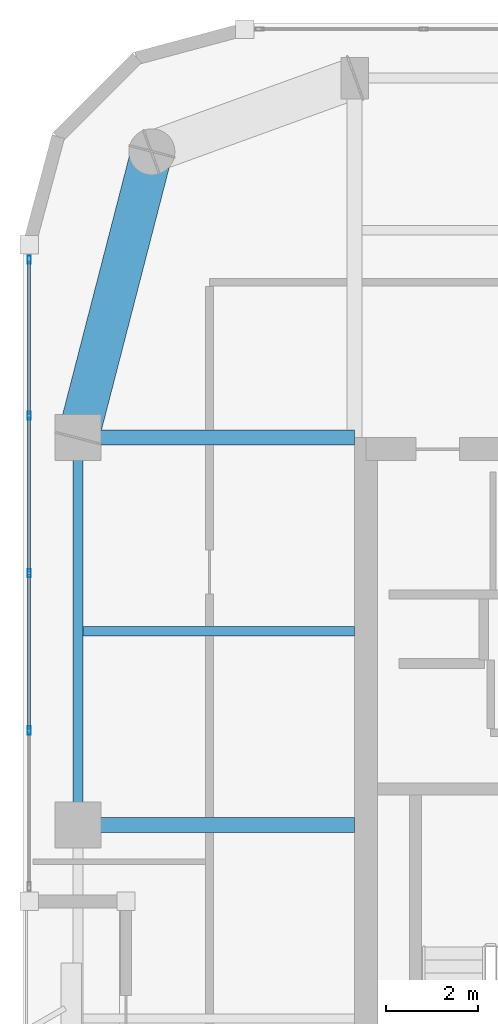
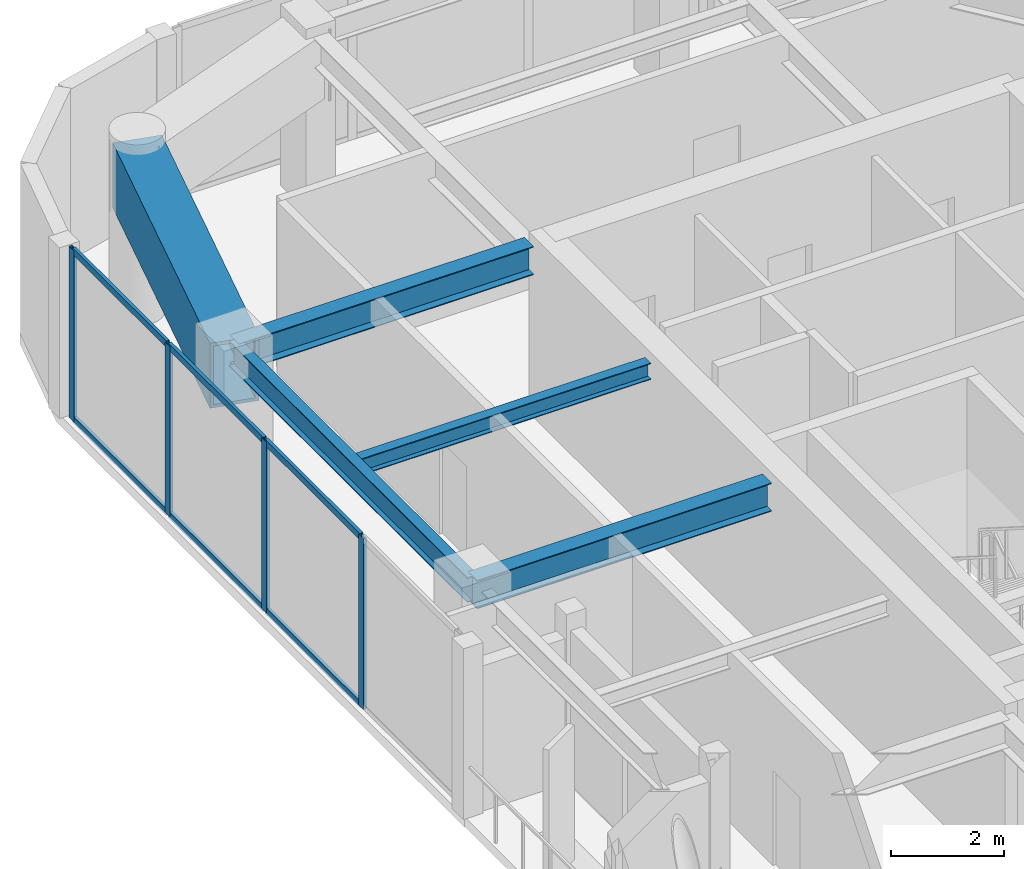
# One storey, part 4 of 15: 10 members, 5 beams, 1 element without a shape of its own.
"""IFC4 building model written with IfcOpenShell, lengths in metres."""

import ifcopenshell
import ifcopenshell.guid

model = None  # the IFC model being written
_history = None  # IfcOwnerHistory: only IFC2X3 demands one
_inside = {}  # id of a spatial element -> (the spatial element, [elements in it])
_under = {}  # id of a project, library or spatial element -> (it, [spatial elements below it])
_declared = {}  # id of a project -> (the project, [libraries it declares])
_typed = {}  # id of a type object -> (the type object, [elements of that type])
_made_of = {}  # id of a material, layer set ... -> (it, [elements and type objects made of it])


def new_model(schema):
    """Start an empty IFC model of exactly this schema.

    Asked for "IFC4X3", IfcOpenShell would pick the latest addendum, in which some entities
    have other attributes; the version numbers below select the first issue.
    IFC2X3 requires an IfcOwnerHistory on every rooted entity: one is made here for all.
    """
    global model, _history
    if schema == "IFC4X3":
        model = ifcopenshell.file(schema_version=(4, 3, 0, 0))
    else:
        model = ifcopenshell.file(schema=schema)
    _inside.clear()
    _under.clear()
    _declared.clear()
    _typed.clear()
    _made_of.clear()
    _history = None
    if model.schema == "IFC2X3":
        org = make("IfcOrganization", Name="unknown")
        user = make(
            "IfcPersonAndOrganization",
            ThePerson=make("IfcPerson", FamilyName="unknown"),
            TheOrganization=org,
        )
        app = make(
            "IfcApplication",
            ApplicationDeveloper=org,
            Version="unknown",
            ApplicationFullName="unknown",
            ApplicationIdentifier="unknown",
        )
        _history = make(
            "IfcOwnerHistory",
            OwningUser=user,
            OwningApplication=app,
            ChangeAction="ADDED",
            CreationDate=0,
        )
    return model


def make(cls, **values):
    """One entity of the class cls with the attributes given. An attribute that is None is left unset."""
    return model.create_entity(
        cls, **{name: value for name, value in values.items() if value is not None}
    )


def rooted(cls, **values):
    """An entity with a GlobalId (a new one), such as an element, a storey or a relation."""
    return make(cls, GlobalId=ifcopenshell.guid.new(), OwnerHistory=_history, **values)


def si_unit(unit_type, name, prefix=None):
    """IfcSIUnit, for example si_unit("LENGTHUNIT", "METRE", prefix="MILLI")."""
    return make("IfcSIUnit", UnitType=unit_type, Prefix=prefix, Name=name)


def assignment(units):
    """IfcUnitAssignment: the units of a project."""
    return None if units is None else make("IfcUnitAssignment", Units=units)


def point(xyz):
    """IfcCartesianPoint."""
    return None if xyz is None else make("IfcCartesianPoint", Coordinates=xyz)


def direction(xyz):
    """IfcDirection."""
    return None if xyz is None else make("IfcDirection", DirectionRatios=xyz)


def frame(location, z_axis=None, x_axis=None):
    """IfcAxis2Placement3D, a coordinate frame: its origin and axes. An axis left out is left unset."""
    return make(
        "IfcAxis2Placement3D",
        Location=point(location),
        Axis=direction(z_axis),
        RefDirection=direction(x_axis),
    )


def frame_2d(location, x_axis=None):
    """IfcAxis2Placement2D, a coordinate frame in the plane: its origin and x axis."""
    return make(
        "IfcAxis2Placement2D", Location=point(location), RefDirection=direction(x_axis)
    )


def origin():
    """The frame at (0, 0, 0) with its axes left unset."""
    return frame((0.0, 0.0, 0.0))


def origin_2d():
    """The frame at (0, 0) in the plane with its x axis left unset."""
    return frame_2d((0.0, 0.0))


def place(relative_to, where):
    """IfcLocalPlacement: puts the frame where relative to a parent placement (None: the world)."""
    return make(
        "IfcLocalPlacement", PlacementRelTo=relative_to, RelativePlacement=where
    )


def context(
    kind, dimensions, precision=None, world=None, true_north=None, identifier=None
):
    """IfcGeometricRepresentationContext, for example the 3D "Model" context."""
    return make(
        "IfcGeometricRepresentationContext",
        ContextIdentifier=identifier,
        ContextType=kind,
        CoordinateSpaceDimension=dimensions,
        Precision=precision,
        WorldCoordinateSystem=world,
        TrueNorth=true_north,
    )


def subcontext(parent, identifier, kind, view, scale=None):
    """IfcGeometricRepresentationSubContext, for example "Body" below "Model"."""
    return make(
        "IfcGeometricRepresentationSubContext",
        ContextIdentifier=identifier,
        ContextType=kind,
        ParentContext=parent,
        TargetScale=scale,
        TargetView=view,
    )


def project(units=None, contexts=None):
    """IfcProject with its units and contexts."""
    return rooted(
        "IfcProject",
        Name="project",
        RepresentationContexts=contexts,
        UnitsInContext=assignment(units),
    )


def spatial(cls, under=None, at=None, **own):
    """A site, building, storey or space (cls), placed at a placement, below another one or the project."""
    s = rooted(cls, ObjectPlacement=at, **own)
    if under is not None:
        _under.setdefault(under.id(), (under, []))[1].append(s)
    return s


def profile(cls, at=None, kind="AREA", **sizes):
    """A parametric profile (cls). Its sizes go by their IFC names, for example OverallWidth=200.0."""
    return make(cls, ProfileType=kind, Position=at, **sizes)


def hollow_rectangle(**sizes):
    """IfcRectangleHollowProfileDef."""
    return profile("IfcRectangleHollowProfileDef", **sizes)


def i_section(**sizes):
    """IfcIShapeProfileDef."""
    return profile("IfcIShapeProfileDef", **sizes)


def extrude(swept, where, along, depth):
    """IfcExtrudedAreaSolid: the profile swept, set in the frame where, extruded along a direction by depth."""
    return make(
        "IfcExtrudedAreaSolid",
        SweptArea=swept,
        Position=where,
        ExtrudedDirection=direction(along),
        Depth=depth,
    )


def shape(context_of_items, identifier, shape_type, items):
    """IfcShapeRepresentation: the items that make up one representation, for example the "Body"."""
    return make(
        "IfcShapeRepresentation",
        ContextOfItems=context_of_items,
        RepresentationIdentifier=identifier,
        RepresentationType=shape_type,
        Items=items,
    )


def material(Name=None, Category=None):
    """IfcMaterial."""
    return make("IfcMaterial", Name=Name, Category=Category)


def layer(
    of_material, thickness, ventilated=None, Name=None, Category=None, Priority=None
):
    """IfcMaterialLayer: one layer of a wall or slab, of a material (None: an air gap)."""
    return make(
        "IfcMaterialLayer",
        Material=of_material,
        LayerThickness=thickness,
        IsVentilated=ventilated,
        Name=Name,
        Category=Category,
        Priority=Priority,
    )


def layer_set(layers, Name=None):
    """IfcMaterialLayerSet."""
    return make("IfcMaterialLayerSet", MaterialLayers=layers, LayerSetName=Name)


def material_profile(
    of_material, cross_section, Name=None, Category=None, Priority=None
):
    """IfcMaterialProfile: a cross section and its material."""
    return make(
        "IfcMaterialProfile",
        Name=Name,
        Material=of_material,
        Profile=cross_section,
        Priority=Priority,
        Category=Category,
    )


def profile_set(profiles, Name=None, composite=None):
    """IfcMaterialProfileSet."""
    return make(
        "IfcMaterialProfileSet",
        Name=Name,
        MaterialProfiles=profiles,
        CompositeProfile=composite,
    )


def made_of(thing, what):
    """Note that an element or type object is made of a material, layer set ...; save() writes the relation."""
    if what is not None:
        _made_of.setdefault(what.id(), (what, []))[1].append(thing)
    return thing


def type_object(cls, material=None, **own):
    """A type object (cls), such as IfcWallType, which elements share."""
    return made_of(rooted(cls, **own), material)


def element(
    cls,
    number,
    at=None,
    inside=None,
    cuts=None,
    type_object=None,
    material=None,
    context=None,
    identifier="Body",
    shape_type=None,
    held_by="IfcProductDefinitionShape",
    body=None,
    shapes=None,
    **own,
):
    """One element of the class cls, such as IfcWall. Its Tag is "e" and its number.

    at: its placement. inside: the storey or other place that contains it. cuts: it is an
    opening in that element (IfcRelVoidsElement). A single representation is given by context,
    identifier, shape_type and body (its items); several are given by shapes. held_by: the class
    of the entity that holds the representations. save() writes the other relations.
    """
    e = rooted(cls, Tag="e%d" % number, ObjectPlacement=at, **own)
    if body is not None:
        shapes = [shape(context, identifier, shape_type, body)]
    if shapes is not None:
        e.Representation = make(held_by, Representations=shapes)
    if inside is not None:
        _inside.setdefault(inside.id(), (inside, []))[1].append(e)
    if cuts is not None:
        rooted(
            "IfcRelVoidsElement", RelatingBuildingElement=cuts, RelatedOpeningElement=e
        )
    if type_object is not None:
        _typed.setdefault(type_object.id(), (type_object, []))[1].append(e)
    return made_of(e, material)


def aggregate(whole, parts):
    """IfcRelAggregates: a whole, such as a stair, and the parts it consists of."""
    return rooted("IfcRelAggregates", RelatingObject=whole, RelatedObjects=parts)


def save(model, path):
    """Write the relations noted so far, then the file.

    IfcRelAggregates (storeys below a building ...), IfcRelContainedInSpatialStructure (elements
    in a storey), IfcRelDefinesByType, IfcRelAssociatesMaterial and IfcRelDeclares: one each for
    every whole, place, type object, material and project.
    """
    for whole, parts in _under.values():
        aggregate(whole, parts)
    for where, things in _inside.values():
        rooted(
            "IfcRelContainedInSpatialStructure",
            RelatedElements=things,
            RelatingStructure=where,
        )
    for kind, things in _typed.values():
        rooted("IfcRelDefinesByType", RelatedObjects=things, RelatingType=kind)
    for what, things in _made_of.values():
        rooted("IfcRelAssociatesMaterial", RelatedObjects=things, RelatingMaterial=what)
    for by, libraries in _declared.values():
        rooted("IfcRelDeclares", RelatingContext=by, RelatedDefinitions=libraries)
    model.write(path)


model = new_model("IFC4")

# Units and contexts
model_context = context("Model", 3, precision=1e-05, world=origin(), true_north=direction((0.0, 1.0)))
body_context = subcontext(model_context, "Body", "Model", "MODEL_VIEW")
ifc_project = project(units=[si_unit("LENGTHUNIT", "METRE"), si_unit("AREAUNIT", "SQUARE_METRE"), si_unit("VOLUMEUNIT", "CUBIC_METRE"), si_unit("PLANEANGLEUNIT", "RADIAN"), si_unit("MASSUNIT", "GRAM", prefix="KILO")], contexts=[model_context])

# Site, building, storey
site_placement = place(None, origin())
site = spatial("IfcSite", under=ifc_project, at=site_placement, CompositionType="ELEMENT")
building_placement = place(site_placement, origin())
building = spatial("IfcBuilding", under=site, at=building_placement, Name="Kiyonajd Concourse Tower", CompositionType="ELEMENT")
storey_placement = place(building_placement, frame((0.0, 0.0, 290.10009765625)))
storey = spatial("IfcBuildingStorey", under=building, at=storey_placement, Name="L73", CompositionType="ELEMENT", Elevation=290.10009765625)

# Beams
ifc_material_1 = material(Name="Steel ASTM A992 Grade 50", Category="steel")
ifc_material_profile_1 = material_profile(ifc_material_1, i_section(OverallWidth=0.205078125, OverallDepth=0.35400390625, WebThickness=0.009521484375, FlangeThickness=0.016845703125, at=origin_2d()), Name="W360X79")
ifc_profile_set_1 = profile_set([ifc_material_profile_1], Name="Steel ASTM A992 Grade 50")
beam_type_1 = type_object("IfcBeamType", Name="BM-JST-360", PredefinedType="JOIST", material=ifc_profile_set_1)
beam_1_placement = place(storey_placement, frame((26.505615234375, 40.199951171875, 3.5029296875), z_axis=(1.0, 0.0, 0.0), x_axis=(0.0, 1.0, 0.0)))
element("IfcBeam", 1, at=beam_1_placement, inside=storey, type_object=beam_type_1, Name="L73 West Secondary Floor Joist", PredefinedType="JOIST", context=body_context, shape_type="SweptSolid", body=[
    extrude(i_section(OverallWidth=0.205078125, OverallDepth=0.35400390625, WebThickness=0.009521484375, FlangeThickness=0.016845703125, at=origin_2d()), origin(), (0.0, 0.0, 1.0), 5.894287109375),
])
ifc_material_profile_2 = material_profile(ifc_material_1, i_section(OverallWidth=0.2109375, OverallDepth=0.5390625, WebThickness=0.01171875, FlangeThickness=0.018798828125, at=origin_2d()), Name="W530X109")
ifc_profile_set_2 = profile_set([ifc_material_profile_2], Name="Steel ASTM A992 Grade 50")
beam_type_2 = type_object("IfcBeamType", Name="BM-SPAN-530B", PredefinedType="SPANDREL", material=ifc_profile_set_2)
beam_2_placement = place(storey_placement, frame((26.39990234375, 44.39990234375, 3.410400390625), z_axis=(0.0, -1.0, 0.0), x_axis=(1.0, 0.0, 0.0)))
element("IfcBeam", 2, at=beam_2_placement, inside=storey, type_object=beam_type_2, Name="L73 Perimeter Bundled Tube Spandrel", PredefinedType="SPANDREL", context=body_context, shape_type="SweptSolid", body=[
    extrude(i_section(OverallWidth=0.2109375, OverallDepth=0.5390625, WebThickness=0.01171875, FlangeThickness=0.018798828125, at=origin_2d()), origin(), (0.0, 0.0, 1.0), 8.39990234375),
])
ifc_material_profile_3 = material_profile(ifc_material_1, i_section(OverallWidth=0.323974609375, OverallDepth=0.611083984375, WebThickness=0.0126953125, FlangeThickness=0.01904296875, at=origin_2d()), Name="W610X155")
ifc_profile_set_3 = profile_set([ifc_material_profile_3], Name="Steel ASTM A992 Grade 50")
beam_type_3 = type_object("IfcBeamType", Name="BM-TWR-610B", PredefinedType="BEAM", material=ifc_profile_set_3)
for number, where, z_axis, x_axis, name in (
    (3, (26.39990234375, 36.0, 3.37451171875), (1.0, 0.0, 0.0), (0.0, 1.0, 0.0), "L73 West Lease Girder"),
    (4, (26.39990234375, 44.39990234375, 3.37451171875), (1.0, 0.0, 0.0), (0.0, 1.0, 0.0), "L73 West Lease Girder"),
):
    element("IfcBeam", number, at=place(storey_placement, frame(where, z_axis=z_axis, x_axis=x_axis)), inside=storey, type_object=beam_type_3, Name=name, PredefinedType="BEAM", context=body_context, shape_type="SweptSolid", body=[
        extrude(i_section(OverallWidth=0.323974609375, OverallDepth=0.611083984375, WebThickness=0.0126953125, FlangeThickness=0.01904296875, at=origin_2d()), origin(), (0.0, 0.0, 1.0), 6.0),
    ])
ifc_material_2 = material(Name="Steel ASTM A572 Grade 50", Category="steel")
ifc_material_profile_4 = material_profile(ifc_material_2, hollow_rectangle(XDim=0.89990234375, YDim=1.39990234375, WallThickness=0.070068359375, at=origin_2d()), Name="BOX-1400x900x70")
ifc_profile_set_4 = profile_set([ifc_material_profile_4], Name="Steel ASTM A572 Grade 50")
beam_type_4 = type_object("IfcBeamType", Name="BM-XFER-1400", PredefinedType="BEAM", material=ifc_profile_set_4)
beam_3_placement = place(storey_placement, frame((28.0, 50.60009765625, 2.97998046875), z_axis=(-0.249884937687, -0.968275538221, 0.0), x_axis=(0.968275538221, -0.249884937687, 0.0)))
element("IfcBeam", 5, at=beam_3_placement, inside=storey, type_object=beam_type_4, Name="L73 Perimeter Bundled Tube Spandrel", PredefinedType="BEAM", context=body_context, shape_type="SweptSolid", body=[
    extrude(hollow_rectangle(XDim=0.89990234375, YDim=1.39990234375, WallThickness=0.070068359375, at=origin_2d()), origin(), (0.0, 0.0, 1.0), 6.4033203125),
])

# Curtain wall, members
ifc_material_3 = material(Name="Thermally Broken Anodised Aluminium", Category="aluminium")
ifc_layer = layer(ifc_material_3, 0.179931640625)
ifc_layer_set = layer_set([ifc_layer], Name="Thermally Broken Anodised Aluminium")
curtain_wall_type = type_object("IfcCurtainWallType", Name="CW-SYS-04", PredefinedType="NOTDEFINED", material=ifc_layer_set)
curtain_wall_placement = place(storey_placement, origin())
curtain_wall = element("IfcCurtainWall", 6, at=curtain_wall_placement, inside=storey, type_object=curtain_wall_type, Name="L73 Unitised Curtain Wall CW4", PredefinedType="NOTDEFINED")
ifc_material_profile_5 = material_profile(ifc_material_3, hollow_rectangle(XDim=0.06494140625, YDim=0.179931640625, WallThickness=0.00390625, at=origin_2d()), Name="MULL-65x180")
ifc_profile_set_5 = profile_set([ifc_material_profile_5], Name="Thermally Broken Anodised Aluminium")
member_type_1 = type_object("IfcMemberType", Name="MB-CW-MULL1", PredefinedType="MULLION", material=ifc_profile_set_5)
member_1_placement = place(storey_placement, frame((25.340087890625, 38.04541015625, 0.0), z_axis=(0.0, 0.0, 1.0), x_axis=(-1.0, 0.0, 0.0)))
member_1 = element("IfcMember", 7, at=member_1_placement, type_object=member_type_1, Name="CW4 mullion 2", PredefinedType="MULLION", context=body_context, shape_type="SweptSolid", body=[
    extrude(hollow_rectangle(XDim=0.06494140625, YDim=0.179931640625, WallThickness=0.00390625, at=origin_2d()), origin(), (0.0, 0.0, 1.0), 3.679931640625),
])
member_2_placement = place(storey_placement, frame((25.340087890625, 41.460693359375, 0.0), z_axis=(0.0, 0.0, 1.0), x_axis=(-1.0, 0.0, 0.0)))
member_2 = element("IfcMember", 8, at=member_2_placement, type_object=member_type_1, Name="CW4 mullion 3", PredefinedType="MULLION", context=body_context, shape_type="SweptSolid", body=[
    extrude(hollow_rectangle(XDim=0.06494140625, YDim=0.179931640625, WallThickness=0.00390625, at=origin_2d()), origin(), (0.0, 0.0, 1.0), 3.679931640625),
])
member_3_placement = place(storey_placement, frame((25.340087890625, 44.876220703125, 0.0), z_axis=(0.0, 0.0, 1.0), x_axis=(-1.0, 0.0, 0.0)))
member_3 = element("IfcMember", 9, at=member_3_placement, type_object=member_type_1, Name="CW4 mullion 4", PredefinedType="MULLION", context=body_context, shape_type="SweptSolid", body=[
    extrude(hollow_rectangle(XDim=0.06494140625, YDim=0.179931640625, WallThickness=0.00390625, at=origin_2d()), origin(), (0.0, 0.0, 1.0), 3.679931640625),
])
member_4_placement = place(storey_placement, frame((25.340087890625, 48.259033203125, 0.0), z_axis=(0.0, 0.0, 1.0), x_axis=(-1.0, 0.0, 0.0)))
member_4 = element("IfcMember", 10, at=member_4_placement, type_object=member_type_1, Name="CW4 mullion 5", PredefinedType="MULLION", context=body_context, shape_type="SweptSolid", body=[
    extrude(hollow_rectangle(XDim=0.06494140625, YDim=0.179931640625, WallThickness=0.00390625, at=origin_2d()), origin(), (0.0, 0.0, 1.0), 3.679931640625),
])
ifc_material_profile_6 = material_profile(ifc_material_3, hollow_rectangle(XDim=0.06494140625, YDim=0.139892578125, WallThickness=0.00390625, at=origin_2d()), Name="TRAN-65x140")
ifc_profile_set_6 = profile_set([ifc_material_profile_6], Name="Thermally Broken Anodised Aluminium")
member_type_2 = type_object("IfcMemberType", Name="MB-CW-TRAN1", PredefinedType="USERDEFINED", material=ifc_profile_set_6)
member_5_placement = place(storey_placement, frame((25.340087890625, 38.077880859375, 0.032470703125), z_axis=(0.0, 1.0, 0.0), x_axis=(-1.0, 0.0, 0.0)))
member_5 = element("IfcMember", 11, at=member_5_placement, type_object=member_type_2, Name="CW4 transom 2.1", ObjectType="TRANSOM", PredefinedType="USERDEFINED", context=body_context, shape_type="SweptSolid", body=[
    extrude(hollow_rectangle(XDim=0.06494140625, YDim=0.139892578125, WallThickness=0.00390625, at=origin_2d()), origin(), (0.0, 0.0, 1.0), 3.350341796875),
])
member_6_placement = place(storey_placement, frame((25.340087890625, 38.077880859375, 3.6474609375), z_axis=(0.0, 1.0, 0.0), x_axis=(-1.0, 0.0, 0.0)))
member_6 = element("IfcMember", 12, at=member_6_placement, type_object=member_type_2, Name="CW4 transom 2.2", ObjectType="TRANSOM", PredefinedType="USERDEFINED", context=body_context, shape_type="SweptSolid", body=[
    extrude(hollow_rectangle(XDim=0.06494140625, YDim=0.139892578125, WallThickness=0.00390625, at=origin_2d()), origin(), (0.0, 0.0, 1.0), 3.350341796875),
])
member_7_placement = place(storey_placement, frame((25.340087890625, 41.493408203125, 0.032470703125), z_axis=(0.0, 1.0, 0.0), x_axis=(-1.0, 0.0, 0.0)))
member_7 = element("IfcMember", 13, at=member_7_placement, type_object=member_type_2, Name="CW4 transom 3.1", ObjectType="TRANSOM", PredefinedType="USERDEFINED", context=body_context, shape_type="SweptSolid", body=[
    extrude(hollow_rectangle(XDim=0.06494140625, YDim=0.139892578125, WallThickness=0.00390625, at=origin_2d()), origin(), (0.0, 0.0, 1.0), 3.350341796875),
])
member_8_placement = place(storey_placement, frame((25.340087890625, 41.493408203125, 3.6474609375), z_axis=(0.0, 1.0, 0.0), x_axis=(-1.0, 0.0, 0.0)))
member_8 = element("IfcMember", 14, at=member_8_placement, type_object=member_type_2, Name="CW4 transom 3.2", ObjectType="TRANSOM", PredefinedType="USERDEFINED", context=body_context, shape_type="SweptSolid", body=[
    extrude(hollow_rectangle(XDim=0.06494140625, YDim=0.139892578125, WallThickness=0.00390625, at=origin_2d()), origin(), (0.0, 0.0, 1.0), 3.350341796875),
])
member_9_placement = place(storey_placement, frame((25.340087890625, 44.90869140625, 0.032470703125), z_axis=(0.0, 1.0, 0.0), x_axis=(-1.0, 0.0, 0.0)))
member_9 = element("IfcMember", 15, at=member_9_placement, type_object=member_type_2, Name="CW4 transom 4.1", ObjectType="TRANSOM", PredefinedType="USERDEFINED", context=body_context, shape_type="SweptSolid", body=[
    extrude(hollow_rectangle(XDim=0.06494140625, YDim=0.139892578125, WallThickness=0.00390625, at=origin_2d()), origin(), (0.0, 0.0, 1.0), 3.31787109375),
])
member_10_placement = place(storey_placement, frame((25.340087890625, 44.90869140625, 3.6474609375), z_axis=(0.0, 1.0, 0.0), x_axis=(-1.0, 0.0, 0.0)))
member_10 = element("IfcMember", 16, at=member_10_placement, type_object=member_type_2, Name="CW4 transom 4.2", ObjectType="TRANSOM", PredefinedType="USERDEFINED", context=body_context, shape_type="SweptSolid", body=[
    extrude(hollow_rectangle(XDim=0.06494140625, YDim=0.139892578125, WallThickness=0.00390625, at=origin_2d()), origin(), (0.0, 0.0, 1.0), 3.31787109375),
])
aggregate(curtain_wall, [member_1, member_2, member_3, member_4, member_5, member_6, member_7, member_8, member_9, member_10])

save(model, "model.ifc")
